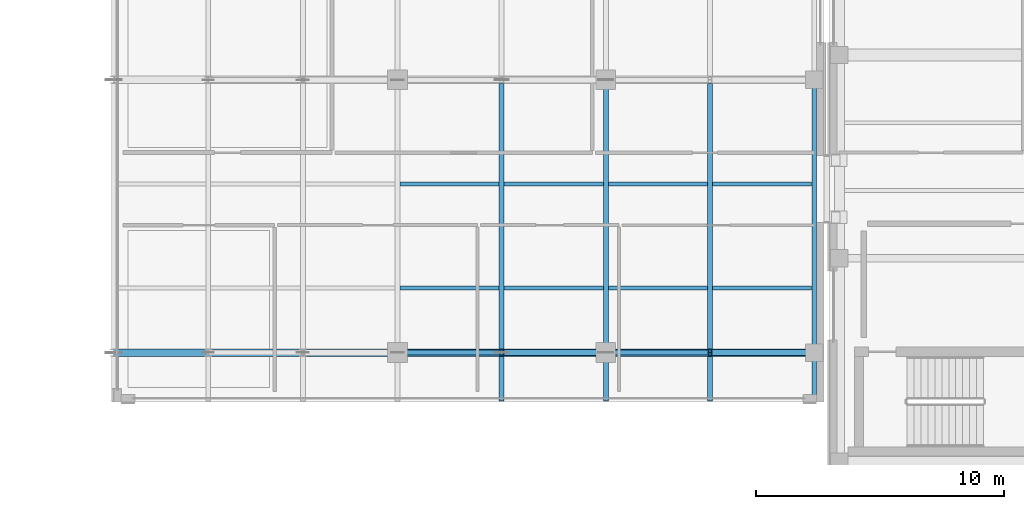
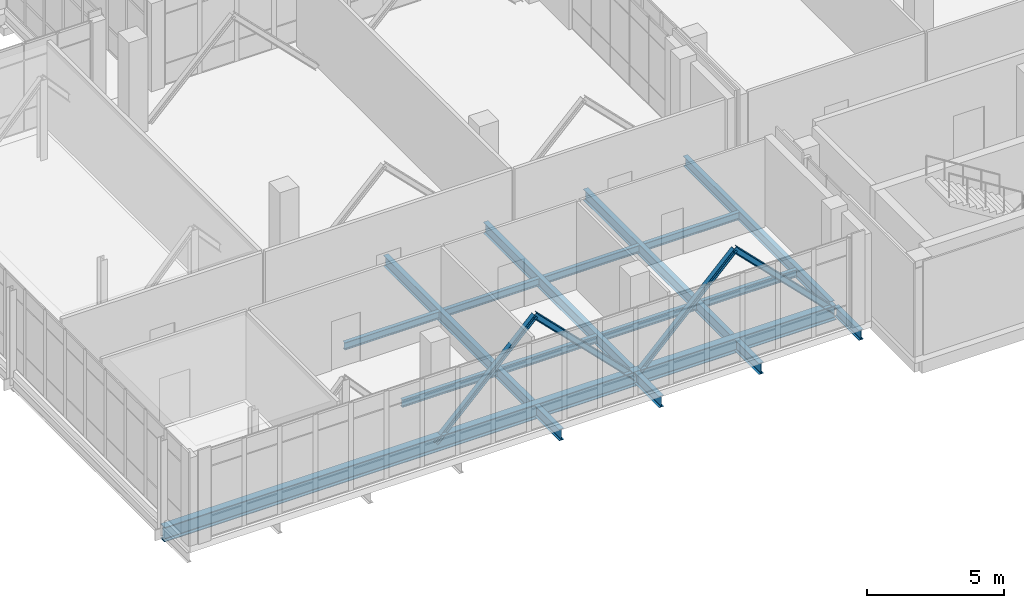
# One storey, part 5 of 193: 17 beams, 4 members.
"""IFC4 building model written with IfcOpenShell, lengths in metres."""

from ifc_helpers import new_model, si_unit, direction, frame, origin, origin_2d, place, context, subcontext, project, spatial, i_section, extrude, material, material_profile, profile_set, type_object, element, save


model = new_model("IFC4")

# Units and contexts
model_context = context("Model", 3, precision=1e-05, world=origin(), true_north=direction((0.0, 1.0)))
body_context = subcontext(model_context, "Body", "Model", "MODEL_VIEW")
ifc_project = project(units=[si_unit("LENGTHUNIT", "METRE"), si_unit("AREAUNIT", "SQUARE_METRE"), si_unit("VOLUMEUNIT", "CUBIC_METRE"), si_unit("PLANEANGLEUNIT", "RADIAN"), si_unit("MASSUNIT", "GRAM", prefix="KILO")], contexts=[model_context])

# Site, building, storey
site_placement = place(None, origin())
site = spatial("IfcSite", under=ifc_project, at=site_placement, CompositionType="ELEMENT")
building_placement = place(site_placement, origin())
building = spatial("IfcBuilding", under=site, at=building_placement, Name="Qalavern Law Courts", CompositionType="ELEMENT")
storey_placement = place(building_placement, frame((0.0, 0.0, 10.199951171875)))
storey = spatial("IfcBuildingStorey", under=building, at=storey_placement, Name="L02", CompositionType="ELEMENT", Elevation=10.199951171875)

# Beams
ifc_material = material(Name="Steel S355", Category="steel")
ifc_material_profile_1 = material_profile(ifc_material, i_section(OverallWidth=0.199951171875, OverallDepth=0.5, WebThickness=0.01025390625, FlangeThickness=0.01611328125, FilletRadius=0.02099609375, at=origin_2d()), Name="IPE 500")
ifc_profile_set_1 = profile_set([ifc_material_profile_1], Name="Steel S355")
beam_type_1 = type_object("IfcBeamType", Name="STR-BM-IPE500", PredefinedType="BEAM", material=ifc_profile_set_1)
beam_1_placement = place(storey_placement, frame((29.39990234375, 8.050048828125, -0.5400390625), z_axis=(0.0, 1.0, 0.0), x_axis=(-1.0, 0.0, 0.0)))
element("IfcBeam", 1, at=beam_1_placement, inside=storey, type_object=beam_type_1, Name="Foyer transverse beam L02-2.1", PredefinedType="BEAM", context=body_context, shape_type="SweptSolid", body=[
    extrude(i_section(OverallWidth=0.199951171875, OverallDepth=0.5, WebThickness=0.01025390625, FlangeThickness=0.01611328125, FilletRadius=0.02099609375, at=origin_2d()), origin(), (0.0, 0.0, 1.0), 1.802001953125),
])
beam_2_placement = place(storey_placement, frame((29.39990234375, 10.14794921875, -0.5400390625), z_axis=(0.0, 1.0, 0.0), x_axis=(-1.0, 0.0, 0.0)))
element("IfcBeam", 2, at=beam_2_placement, inside=storey, type_object=beam_type_1, Name="Foyer transverse beam L02-2.2", PredefinedType="BEAM", context=body_context, shape_type="SweptSolid", body=[
    extrude(i_section(OverallWidth=0.199951171875, OverallDepth=0.5, WebThickness=0.01025390625, FlangeThickness=0.01611328125, FilletRadius=0.02099609375, at=origin_2d()), origin(), (0.0, 0.0, 1.0), 10.7041015625),
])
beam_3_placement = place(storey_placement, frame((25.199951171875, 8.050048828125, -0.5400390625), z_axis=(0.0, 1.0, 0.0), x_axis=(-1.0, 0.0, 0.0)))
element("IfcBeam", 3, at=beam_3_placement, inside=storey, type_object=beam_type_1, Name="Foyer transverse beam L02-3.1", PredefinedType="BEAM", context=body_context, shape_type="SweptSolid", body=[
    extrude(i_section(OverallWidth=0.199951171875, OverallDepth=0.5, WebThickness=0.01025390625, FlangeThickness=0.01611328125, FilletRadius=0.02099609375, at=origin_2d()), origin(), (0.0, 0.0, 1.0), 1.802001953125),
])
beam_4_placement = place(storey_placement, frame((25.199951171875, 10.14794921875, -0.5400390625), z_axis=(0.0, 1.0, 0.0), x_axis=(-1.0, 0.0, 0.0)))
element("IfcBeam", 4, at=beam_4_placement, inside=storey, type_object=beam_type_1, Name="Foyer transverse beam L02-3.2", PredefinedType="BEAM", context=body_context, shape_type="SweptSolid", body=[
    extrude(i_section(OverallWidth=0.199951171875, OverallDepth=0.5, WebThickness=0.01025390625, FlangeThickness=0.01611328125, FilletRadius=0.02099609375, at=origin_2d()), origin(), (0.0, 0.0, 1.0), 10.7041015625),
])
beam_5_placement = place(storey_placement, frame((21.0, 8.050048828125, -0.5400390625), z_axis=(0.0, 1.0, 0.0), x_axis=(-1.0, 0.0, 0.0)))
element("IfcBeam", 5, at=beam_5_placement, inside=storey, type_object=beam_type_1, Name="Foyer transverse beam L02-4.1", PredefinedType="BEAM", context=body_context, shape_type="SweptSolid", body=[
    extrude(i_section(OverallWidth=0.199951171875, OverallDepth=0.5, WebThickness=0.01025390625, FlangeThickness=0.01611328125, FilletRadius=0.02099609375, at=origin_2d()), origin(), (0.0, 0.0, 1.0), 1.802001953125),
])
beam_6_placement = place(storey_placement, frame((21.0, 10.14794921875, -0.5400390625), z_axis=(0.0, 1.0, 0.0), x_axis=(-1.0, 0.0, 0.0)))
element("IfcBeam", 6, at=beam_6_placement, inside=storey, type_object=beam_type_1, Name="Foyer transverse beam L02-4.2", PredefinedType="BEAM", context=body_context, shape_type="SweptSolid", body=[
    extrude(i_section(OverallWidth=0.199951171875, OverallDepth=0.5, WebThickness=0.01025390625, FlangeThickness=0.01611328125, FilletRadius=0.02099609375, at=origin_2d()), origin(), (0.0, 0.0, 1.0), 10.7041015625),
])

# Members
ifc_material_profile_2 = material_profile(ifc_material, i_section(OverallWidth=0.199951171875, OverallDepth=0.199951171875, WebThickness=0.009033203125, FlangeThickness=0.014892578125, FilletRadius=0.01806640625, at=origin_2d()), Name="HEB 200")
ifc_profile_set_2 = profile_set([ifc_material_profile_2], Name="Steel S355")
member_type_1 = type_object("IfcMemberType", Name="STR-BR-HEB200", PredefinedType="BRACE", material=ifc_profile_set_2)
for number, where, z_axis, x_axis, name in (
    (7, (29.39990234375, 10.0, 3.590087890625), (-0.706675324232, 0.0, -0.707537975038), (0.0, -1.0, 0.0), "Cantilever truss T1 diagonal L02-2"),
    (8, (21.0, 10.0, 3.590087890625), (-0.706675324232, 0.0, -0.707537975038), (0.0, -1.0, 0.0), "Cantilever truss T1 diagonal L02-4"),
):
    element("IfcMember", number, at=place(storey_placement, frame(where, z_axis=z_axis, x_axis=x_axis)), inside=storey, type_object=member_type_1, Name=name, PredefinedType="BRACE", context=body_context, shape_type="SweptSolid", body=[
        extrude(i_section(OverallWidth=0.199951171875, OverallDepth=0.199951171875, WebThickness=0.009033203125, FlangeThickness=0.014892578125, FilletRadius=0.01806640625, at=origin_2d()), origin(), (0.0, 0.0, 1.0), 5.943359375),
    ])
ifc_material_profile_3 = material_profile(ifc_material, i_section(OverallWidth=0.239990234375, OverallDepth=0.239990234375, WebThickness=0.010009765625, FlangeThickness=0.01708984375, FilletRadius=0.02099609375, at=origin_2d()), Name="HEB 240")
ifc_profile_set_3 = profile_set([ifc_material_profile_3], Name="Steel S355")
member_type_2 = type_object("IfcMemberType", Name="STR-BR-HEB240", PredefinedType="BRACE", material=ifc_profile_set_3)
for number, where, z_axis, x_axis, name in (
    (9, (33.60009765625, 10.0, -0.614990234375), (-0.706695887699, 0.0, 0.707517436046), (0.0, -1.0, 0.0), "Cantilever truss T1 diagonal L02-1"),
    (10, (25.199951171875, 10.0, -0.614990234375), (-0.706675324232, 0.0, 0.707537975038), (0.0, -1.0, 0.0), "Cantilever truss T1 diagonal L02-3"),
):
    element("IfcMember", number, at=place(storey_placement, frame(where, z_axis=z_axis, x_axis=x_axis)), inside=storey, type_object=member_type_2, Name=name, PredefinedType="BRACE", context=body_context, shape_type="SweptSolid", body=[
        extrude(i_section(OverallWidth=0.239990234375, OverallDepth=0.239990234375, WebThickness=0.010009765625, FlangeThickness=0.01708984375, FilletRadius=0.02099609375, at=origin_2d()), origin(), (0.0, 0.0, 1.0), 5.943359375),
    ])

# Beams
ifc_material_profile_4 = material_profile(ifc_material, i_section(OverallWidth=0.159912109375, OverallDepth=0.330078125, WebThickness=0.007568359375, FlangeThickness=0.011474609375, FilletRadius=0.01806640625, at=origin_2d()), Name="IPE 330")
ifc_profile_set_4 = profile_set([ifc_material_profile_4], Name="Steel S355")
beam_type_2 = type_object("IfcBeamType", Name="STR-JST-IPE330", PredefinedType="JOIST", material=ifc_profile_set_4)
for number, where, z_axis, x_axis, name in (
    (11, (29.498046875, 12.60009765625, -0.454833984375), (1.0, 0.0, 0.0), (0.0, 1.0, 0.0), "Foyer floor joist L02-1.1"),
    (12, (29.498046875, 16.800048828125, -0.454833984375), (1.0, 0.0, 0.0), (0.0, 1.0, 0.0), "Foyer floor joist L02-1.2"),
    (13, (25.298095703125, 12.60009765625, -0.454833984375), (1.0, 0.0, 0.0), (0.0, 1.0, 0.0), "Foyer floor joist L02-2.1"),
    (14, (25.298095703125, 16.800048828125, -0.454833984375), (1.0, 0.0, 0.0), (0.0, 1.0, 0.0), "Foyer floor joist L02-2.2"),
):
    element("IfcBeam", number, at=place(storey_placement, frame(where, z_axis=z_axis, x_axis=x_axis)), inside=storey, type_object=beam_type_2, Name=name, PredefinedType="JOIST", context=body_context, shape_type="SweptSolid", body=[
        extrude(i_section(OverallWidth=0.159912109375, OverallDepth=0.330078125, WebThickness=0.007568359375, FlangeThickness=0.011474609375, FilletRadius=0.01806640625, at=origin_2d()), origin(), (0.0, 0.0, 1.0), 4.00390625),
    ])
for number, where, z_axis, x_axis, name in (
    (15, (21.097900390625, 12.60009765625, -0.454833984375), (1.0, 0.0, 0.0), (0.0, 1.0, 0.0), "Foyer floor joist L02-3.1"),
    (16, (21.097900390625, 16.800048828125, -0.454833984375), (1.0, 0.0, 0.0), (0.0, 1.0, 0.0), "Foyer floor joist L02-3.2"),
    (17, (16.89794921875, 12.60009765625, -0.454833984375), (1.0, 0.0, 0.0), (0.0, 1.0, 0.0), "Foyer floor joist L02-4.1"),
    (18, (16.89794921875, 16.800048828125, -0.454833984375), (1.0, 0.0, 0.0), (0.0, 1.0, 0.0), "Foyer floor joist L02-4.2"),
):
    element("IfcBeam", number, at=place(storey_placement, frame(where, z_axis=z_axis, x_axis=x_axis)), inside=storey, type_object=beam_type_2, Name=name, PredefinedType="JOIST", context=body_context, shape_type="SweptSolid", body=[
        extrude(i_section(OverallWidth=0.159912109375, OverallDepth=0.330078125, WebThickness=0.007568359375, FlangeThickness=0.011474609375, FilletRadius=0.01806640625, at=origin_2d()), origin(), (0.0, 0.0, 1.0), 4.004150390625),
    ])
ifc_material_profile_5 = material_profile(ifc_material, i_section(OverallWidth=0.18994140625, OverallDepth=0.449951171875, WebThickness=0.009521484375, FlangeThickness=0.0146484375, FilletRadius=0.02099609375, at=origin_2d()), Name="IPE 450")
ifc_profile_set_5 = profile_set([ifc_material_profile_5], Name="Steel S355")
beam_type_3 = type_object("IfcBeamType", Name="STR-SP-IPE450", PredefinedType="SPANDREL", material=ifc_profile_set_5)
beam_7_placement = place(storey_placement, frame((33.60009765625, 8.050048828125, -0.514892578125), z_axis=(0.0, 1.0, 0.0), x_axis=(-1.0, 0.0, 0.0)))
element("IfcBeam", 19, at=beam_7_placement, inside=storey, type_object=beam_type_3, Name="Foyer transverse beam L02-1.1", PredefinedType="SPANDREL", context=body_context, shape_type="SweptSolid", body=[
    extrude(i_section(OverallWidth=0.18994140625, OverallDepth=0.449951171875, WebThickness=0.009521484375, FlangeThickness=0.0146484375, FilletRadius=0.02099609375, at=origin_2d()), origin(), (0.0, 0.0, 1.0), 1.802001953125),
])
beam_8_placement = place(storey_placement, frame((33.60009765625, 10.14794921875, -0.514892578125), z_axis=(0.0, 1.0, 0.0), x_axis=(-1.0, 0.0, 0.0)))
element("IfcBeam", 20, at=beam_8_placement, inside=storey, type_object=beam_type_3, Name="Foyer transverse beam L02-1.2", PredefinedType="SPANDREL", context=body_context, shape_type="SweptSolid", body=[
    extrude(i_section(OverallWidth=0.18994140625, OverallDepth=0.449951171875, WebThickness=0.009521484375, FlangeThickness=0.0146484375, FilletRadius=0.02099609375, at=origin_2d()), origin(), (0.0, 0.0, 1.0), 10.7041015625),
])
ifc_material_profile_6 = material_profile(ifc_material, i_section(OverallWidth=0.300048828125, OverallDepth=0.64990234375, WebThickness=0.01611328125, FlangeThickness=0.031005859375, FilletRadius=0.027099609375, at=origin_2d()), Name="HEB 650")
ifc_profile_set_6 = profile_set([ifc_material_profile_6], Name="Steel S355")
beam_type_4 = type_object("IfcBeamType", Name="STR-TC-HEB650", PredefinedType="BEAM", material=ifc_profile_set_6)
beam_9_placement = place(storey_placement, frame((33.60009765625, 10.0, -0.614990234375), z_axis=(-1.0, 0.0, 0.0), x_axis=(0.0, -1.0, 0.0)))
element("IfcBeam", 21, at=beam_9_placement, inside=storey, type_object=beam_type_4, Name="Cantilever foyer truss T1 continuous chord L02", PredefinedType="BEAM", context=body_context, shape_type="SweptSolid", body=[
    extrude(i_section(OverallWidth=0.300048828125, OverallDepth=0.64990234375, WebThickness=0.01611328125, FlangeThickness=0.031005859375, FilletRadius=0.027099609375, at=origin_2d()), origin(), (0.0, 0.0, 1.0), 28.25),
])

save(model, "model.ifc")
